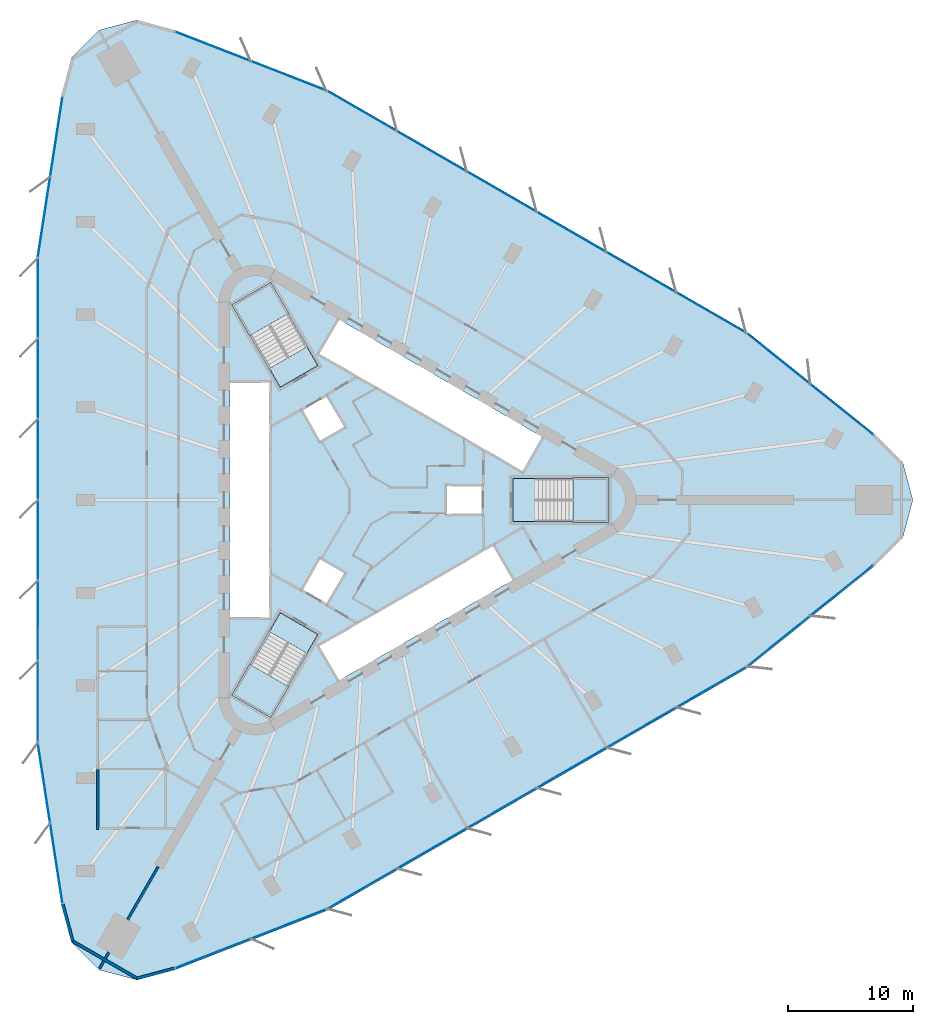
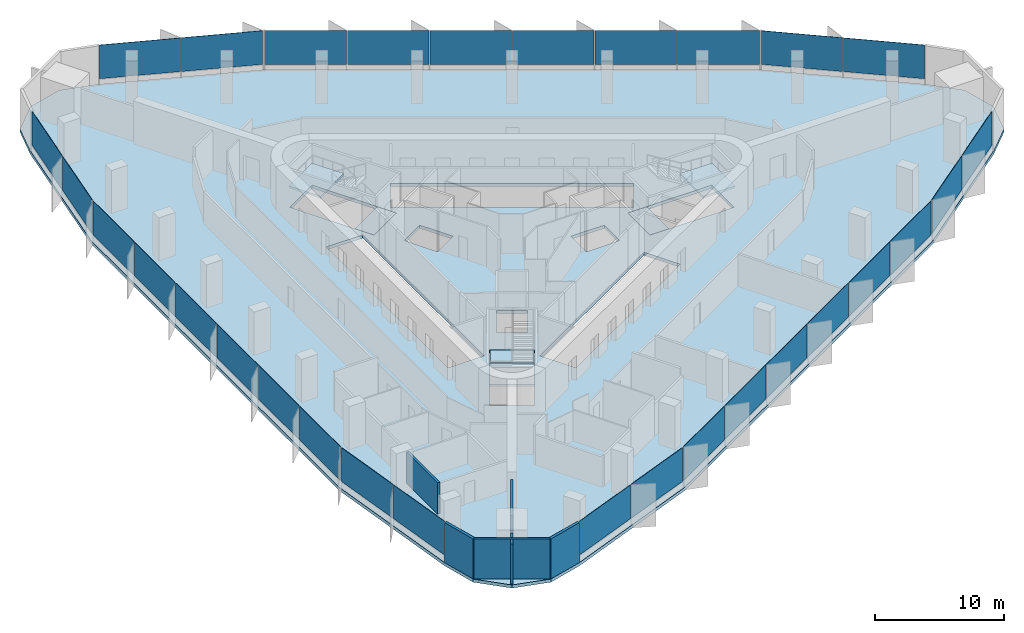
# One storey, part 8 of 15: 30 plates, 7 slabs, 7 walls, 12 elements without a shape of their own.
"""IFC4 building model written with IfcOpenShell, lengths in metres."""

from ifc_helpers import new_model, si_unit, direction, frame, frame_2d, origin, origin_2d, place, context, subcontext, project, spatial, polyline, rectangle, outline, extrude, material, layer, layer_set, type_object, element, aggregate, save


model = new_model("IFC4")

# Units and contexts
model_context = context("Model", 3, precision=1e-05, world=origin(), true_north=direction((0.0, 1.0)))
body_context = subcontext(model_context, "Body", "Model", "MODEL_VIEW")
ifc_project = project(units=[si_unit("LENGTHUNIT", "METRE"), si_unit("AREAUNIT", "SQUARE_METRE"), si_unit("VOLUMEUNIT", "CUBIC_METRE"), si_unit("PLANEANGLEUNIT", "RADIAN"), si_unit("MASSUNIT", "GRAM", prefix="KILO")], contexts=[model_context])

# Site, building, storey
site_placement = place(None, origin())
site = spatial("IfcSite", under=ifc_project, at=site_placement, CompositionType="ELEMENT")
building_placement = place(site_placement, origin())
building = spatial("IfcBuilding", under=site, at=building_placement, Name="Tanit Gate Tower", CompositionType="ELEMENT")
storey_placement = place(building_placement, frame((0.0, 0.0, 139.800048828125)))
storey = spatial("IfcBuildingStorey", under=building, at=storey_placement, Name="L30", CompositionType="ELEMENT", Elevation=139.800048828125)

# Slab
ifc_material_1 = material(Name="Concrete C35/45", Category="concrete")
ifc_layer_1 = layer(ifc_material_1, 0.300048828125)
ifc_layer_set_1 = layer_set([ifc_layer_1], Name="FLOOR SLAB 300 C35/45")
slab_type_1 = type_object("IfcSlabType", Name="FLOOR SLAB 300 C35/45", PredefinedType="FLOOR", material=ifc_layer_set_1)
slab_1_placement = place(storey_placement, frame((0.0, 0.0, -0.300048828125)))
element("IfcSlab", 1, at=slab_1_placement, inside=storey, type_object=slab_type_1, Name="FLOOR SLAB L30", PredefinedType="FLOOR", context=body_context, shape_type="SweptSolid", body=[
    extrude(outline(polyline([(40.200439453125, 5.24365234375), (42.41650390625, 3.02734375), (43.227783203125, 0.0), (42.41650390625, -3.02734375), (40.200439453125, -5.24365234375), (30.038818359375, -13.397216796875), (-3.418212890625, -32.710693359375), (-15.55908203125, -37.436279296875), (-18.58642578125, -38.24755859375), (-21.614013671875, -37.436279296875), (-23.830078125, -35.22021484375), (-24.641357421875, -32.192626953125), (-26.62158203125, -19.315673828125), (-26.619140625, 19.315673828125), (-24.641357421875, 32.192626953125), (-23.830078125, 35.22021484375), (-21.614013671875, 37.436279296875), (-18.58642578125, 38.24755859375), (-15.55908203125, 37.436279296875), (-3.4169921875, 32.712890625), (30.037353515625, 13.39501953125), (40.200439453125, 5.24365234375)]), holes=[polyline([(11.3701171875, 1.72998046875), (18.929931640625, 1.72998046875), (18.929931640625, -1.72998046875), (11.3701171875, -1.72998046875), (11.3701171875, 1.72998046875)]), polyline([(-4.208984375, 11.60986328125), (-2.583984375, 14.424560546875), (13.783935546875, 4.974609375), (12.158935546875, 2.159912109375), (-4.208984375, 11.60986328125)]), polyline([(-4.208984375, -11.60986328125), (9.82080078125, -3.510009765625), (11.44580078125, -6.324462890625), (-2.583984375, -14.424560546875), (-4.208984375, -11.60986328125)]), polyline([(9.0, 1.199951171875), (9.0, -1.199951171875), (6.0, -1.199951171875), (6.0, 1.199951171875), (9.0, 1.199951171875)]), polyline([(-5.539306640625, 7.194091796875), (-3.460693359375, 8.394287109375), (-1.960693359375, 5.796142578125), (-4.039306640625, 4.59619140625), (-5.539306640625, 7.194091796875)]), polyline([(-1.960693359375, -5.796142578125), (-3.460693359375, -8.394287109375), (-5.539306640625, -7.194091796875), (-4.039306640625, -4.59619140625), (-1.960693359375, -5.796142578125)]), polyline([(-10.963134765625, 15.52880859375), (-7.966796875, 17.2587890625), (-4.186767578125, 10.711669921875), (-7.18310546875, 8.981689453125), (-10.963134765625, 15.52880859375)]), polyline([(-4.186767578125, -10.711669921875), (-7.966796875, -17.2587890625), (-10.963134765625, -15.52880859375), (-7.18310546875, -8.981689453125), (-4.186767578125, -10.711669921875)]), polyline([(-11.199951171875, -9.449951171875), (-11.199951171875, 9.449951171875), (-7.949951171875, 9.449951171875), (-7.949951171875, -9.449951171875), (-11.199951171875, -9.449951171875)])]), origin(), (0.0, 0.0, 1.0), 0.300048828125),
])

# Curtain wall, plates
ifc_material_2 = material(Name="Aluminium bronze anodised and glass", Category="aluminium")
curtain_wall_type = type_object("IfcCurtainWallType", Name="Curtain wall typical low", PredefinedType="NOTDEFINED", material=ifc_material_2)
curtain_wall_1_placement = place(storey_placement, origin())
curtain_wall_1 = element("IfcCurtainWall", 2, at=curtain_wall_1_placement, inside=storey, type_object=curtain_wall_type, Name="Curtain wall L30 NE1", PredefinedType="NOTDEFINED")
ifc_material_3 = material(Name="Glass tinted", Category="glass")
ifc_layer_2 = layer(ifc_material_3, 0.031982421875)
ifc_layer_set_2 = layer_set([ifc_layer_2], Name="Glass panel 32 typical low")
plate_type = type_object("IfcPlateType", Name="Glass panel 32 typical low", PredefinedType="CURTAIN_PANEL", material=ifc_layer_set_2)
plate_1_placement = place(storey_placement, frame((37.56689453125, 7.201904296875, 0.60009765625), z_axis=(0.0, 0.0, 1.0), x_axis=(-0.780084936734, 0.625673630163, 0.0)))
plate_1 = element("IfcPlate", 3, at=plate_1_placement, type_object=plate_type, Name="Glass panel L30 NE1.1", PredefinedType="CURTAIN_PANEL", context=body_context, shape_type="SweptSolid", body=[
    extrude(rectangle(XDim=6.38623046875, YDim=0.031982421875, at=origin_2d()), origin(), (0.0, 0.0, 1.0), 3.199951171875),
])
plate_2_placement = place(storey_placement, frame((32.522705078125, 11.247802734375, 0.60009765625), z_axis=(0.0, 0.0, 1.0), x_axis=(-0.780084936734, 0.625673630163, 0.0)))
plate_2 = element("IfcPlate", 4, at=plate_2_placement, type_object=plate_type, Name="Glass panel L30 NE1.2", PredefinedType="CURTAIN_PANEL", context=body_context, shape_type="SweptSolid", body=[
    extrude(rectangle(XDim=6.38623046875, YDim=0.031982421875, at=origin_2d()), origin(), (0.0, 0.0, 1.0), 3.199951171875),
])
aggregate(curtain_wall_1, [plate_1, plate_2])

curtain_wall_2_placement = place(storey_placement, origin())
curtain_wall_2 = element("IfcCurtainWall", 5, at=curtain_wall_2_placement, inside=storey, type_object=curtain_wall_type, Name="Curtain wall L30 NE2", PredefinedType="NOTDEFINED")
plate_3_placement = place(storey_placement, frame((27.154052734375, 14.92138671875, 0.60009765625), z_axis=(0.0, 0.0, 1.0), x_axis=(-0.865990732317, 0.500060047936, 0.0)))
plate_3 = element("IfcPlate", 6, at=plate_3_placement, type_object=plate_type, Name="Glass panel L30 NE2.1", PredefinedType="CURTAIN_PANEL", context=body_context, shape_type="SweptSolid", body=[
    extrude(rectangle(XDim=6.34228515625, YDim=0.031982421875, at=origin_2d()), origin(), (0.0, 0.0, 1.0), 3.199951171875),
])
plate_4_placement = place(storey_placement, frame((21.592529296875, 18.1328125, 0.60009765625), z_axis=(0.0, 0.0, 1.0), x_axis=(-0.865990732317, 0.500060047936, 0.0)))
plate_4 = element("IfcPlate", 7, at=plate_4_placement, type_object=plate_type, Name="Glass panel L30 NE2.2", PredefinedType="CURTAIN_PANEL", context=body_context, shape_type="SweptSolid", body=[
    extrude(rectangle(XDim=6.342041015625, YDim=0.031982421875, at=origin_2d()), origin(), (0.0, 0.0, 1.0), 3.199951171875),
])
plate_5_placement = place(storey_placement, frame((16.031005859375, 21.34423828125, 0.60009765625), z_axis=(0.0, 0.0, 1.0), x_axis=(-0.865990732317, 0.500060047936, 0.0)))
plate_5 = element("IfcPlate", 8, at=plate_5_placement, type_object=plate_type, Name="Glass panel L30 NE2.3", PredefinedType="CURTAIN_PANEL", context=body_context, shape_type="SweptSolid", body=[
    extrude(rectangle(XDim=6.34228515625, YDim=0.031982421875, at=origin_2d()), origin(), (0.0, 0.0, 1.0), 3.199951171875),
])
plate_6_placement = place(storey_placement, frame((10.469482421875, 24.5556640625, 0.60009765625), z_axis=(0.0, 0.0, 1.0), x_axis=(-0.865990732317, 0.500060047936, 0.0)))
plate_6 = element("IfcPlate", 9, at=plate_6_placement, type_object=plate_type, Name="Glass panel L30 NE2.4", PredefinedType="CURTAIN_PANEL", context=body_context, shape_type="SweptSolid", body=[
    extrude(rectangle(XDim=6.342041015625, YDim=0.031982421875, at=origin_2d()), origin(), (0.0, 0.0, 1.0), 3.199951171875),
])
plate_7_placement = place(storey_placement, frame((4.907958984375, 27.76708984375, 0.60009765625), z_axis=(0.0, 0.0, 1.0), x_axis=(-0.865990732317, 0.500060047936, 0.0)))
plate_7 = element("IfcPlate", 10, at=plate_7_placement, type_object=plate_type, Name="Glass panel L30 NE2.5", PredefinedType="CURTAIN_PANEL", context=body_context, shape_type="SweptSolid", body=[
    extrude(rectangle(XDim=6.34228515625, YDim=0.031982421875, at=origin_2d()), origin(), (0.0, 0.0, 1.0), 3.199951171875),
])
plate_8_placement = place(storey_placement, frame((-0.653564453125, 30.978759765625, 0.60009765625), z_axis=(0.0, 0.0, 1.0), x_axis=(-0.865990732317, 0.500060047936, 0.0)))
plate_8 = element("IfcPlate", 11, at=plate_8_placement, type_object=plate_type, Name="Glass panel L30 NE2.6", PredefinedType="CURTAIN_PANEL", context=body_context, shape_type="SweptSolid", body=[
    extrude(rectangle(XDim=6.34228515625, YDim=0.031982421875, at=origin_2d()), origin(), (0.0, 0.0, 1.0), 3.199951171875),
])
aggregate(curtain_wall_2, [plate_3, plate_4, plate_5, plate_6, plate_7, plate_8])

curtain_wall_3_placement = place(storey_placement, origin())
curtain_wall_3 = element("IfcCurtainWall", 12, at=curtain_wall_3_placement, inside=storey, type_object=curtain_wall_type, Name="Curtain wall L30 NE3", PredefinedType="NOTDEFINED")
plate_9_placement = place(storey_placement, frame((-6.51953125, 33.791015625, 0.60009765625), z_axis=(0.0, 0.0, 1.0), x_axis=(-0.931965421252, 0.362547174298, 0.0)))
plate_9 = element("IfcPlate", 13, at=plate_9_placement, type_object=plate_type, Name="Glass panel L30 NE3.1", PredefinedType="CURTAIN_PANEL", context=body_context, shape_type="SweptSolid", body=[
    extrude(rectangle(XDim=6.386474609375, YDim=0.031982421875, at=origin_2d()), origin(), (0.0, 0.0, 1.0), 3.199951171875),
])
plate_10_placement = place(storey_placement, frame((-12.5458984375, 36.135498046875, 0.60009765625), z_axis=(0.0, 0.0, 1.0), x_axis=(-0.931965421252, 0.362547174298, 0.0)))
plate_10 = element("IfcPlate", 14, at=plate_10_placement, type_object=plate_type, Name="Glass panel L30 NE3.2", PredefinedType="CURTAIN_PANEL", context=body_context, shape_type="SweptSolid", body=[
    extrude(rectangle(XDim=6.386474609375, YDim=0.031982421875, at=origin_2d()), origin(), (0.0, 0.0, 1.0), 3.199951171875),
])
aggregate(curtain_wall_3, [plate_9, plate_10])

curtain_wall_4_placement = place(storey_placement, origin())
curtain_wall_4 = element("IfcCurtainWall", 15, at=curtain_wall_4_placement, inside=storey, type_object=curtain_wall_type, Name="Curtain wall L30 W1", PredefinedType="NOTDEFINED")
plate_11_placement = place(storey_placement, frame((-25.0205078125, 28.932861328125, 0.60009765625), z_axis=(0.0, 0.0, 1.0), x_axis=(-0.151806789832, -0.988410187402, 0.0)))
plate_11 = element("IfcPlate", 16, at=plate_11_placement, type_object=plate_type, Name="Glass panel L30 W1.1", PredefinedType="CURTAIN_PANEL", context=body_context, shape_type="SweptSolid", body=[
    extrude(rectangle(XDim=6.38623046875, YDim=0.031982421875, at=origin_2d()), origin(), (0.0, 0.0, 1.0), 3.199951171875),
])
plate_12_placement = place(storey_placement, frame((-26.002197265625, 22.54150390625, 0.60009765625), z_axis=(0.0, 0.0, 1.0), x_axis=(-0.151806789832, -0.988410187402, 0.0)))
plate_12 = element("IfcPlate", 17, at=plate_12_placement, type_object=plate_type, Name="Glass panel L30 W1.2", PredefinedType="CURTAIN_PANEL", context=body_context, shape_type="SweptSolid", body=[
    extrude(rectangle(XDim=6.38623046875, YDim=0.031982421875, at=origin_2d()), origin(), (0.0, 0.0, 1.0), 3.199951171875),
])
aggregate(curtain_wall_4, [plate_11, plate_12])

curtain_wall_5_placement = place(storey_placement, origin())
curtain_wall_5 = element("IfcCurtainWall", 18, at=curtain_wall_5_placement, inside=storey, type_object=curtain_wall_type, Name="Curtain wall L30 W2", PredefinedType="NOTDEFINED")
plate_13_placement = place(storey_placement, frame((-26.499267578125, 16.055419921875, 0.60009765625), z_axis=(0.0, 0.0, 1.0), x_axis=(-6.9338772e-05, -0.999999997596, 0.0)))
plate_13 = element("IfcPlate", 19, at=plate_13_placement, type_object=plate_type, Name="Glass panel L30 W2.1", PredefinedType="CURTAIN_PANEL", context=body_context, shape_type="SweptSolid", body=[
    extrude(rectangle(XDim=6.34228515625, YDim=0.031982421875, at=origin_2d()), origin(), (0.0, 0.0, 1.0), 3.199951171875),
])
plate_14_placement = place(storey_placement, frame((-26.499755859375, 9.63330078125, 0.60009765625), z_axis=(0.0, 0.0, 1.0), x_axis=(-6.9338772e-05, -0.999999997596, 0.0)))
plate_14 = element("IfcPlate", 20, at=plate_14_placement, type_object=plate_type, Name="Glass panel L30 W2.2", PredefinedType="CURTAIN_PANEL", context=body_context, shape_type="SweptSolid", body=[
    extrude(rectangle(XDim=6.342041015625, YDim=0.031982421875, at=origin_2d()), origin(), (0.0, 0.0, 1.0), 3.199951171875),
])
plate_15_placement = place(storey_placement, frame((-26.500244140625, 3.211181640625, 0.60009765625), z_axis=(0.0, 0.0, 1.0), x_axis=(-6.9338772e-05, -0.999999997596, 0.0)))
plate_15 = element("IfcPlate", 21, at=plate_15_placement, type_object=plate_type, Name="Glass panel L30 W2.3", PredefinedType="CURTAIN_PANEL", context=body_context, shape_type="SweptSolid", body=[
    extrude(rectangle(XDim=6.34228515625, YDim=0.031982421875, at=origin_2d()), origin(), (0.0, 0.0, 1.0), 3.199951171875),
])
plate_16_placement = place(storey_placement, frame((-26.500732421875, -3.211181640625, 0.60009765625), z_axis=(0.0, 0.0, 1.0), x_axis=(-6.9338772e-05, -0.999999997596, 0.0)))
plate_16 = element("IfcPlate", 22, at=plate_16_placement, type_object=plate_type, Name="Glass panel L30 W2.4", PredefinedType="CURTAIN_PANEL", context=body_context, shape_type="SweptSolid", body=[
    extrude(rectangle(XDim=6.342041015625, YDim=0.031982421875, at=origin_2d()), origin(), (0.0, 0.0, 1.0), 3.199951171875),
])
plate_17_placement = place(storey_placement, frame((-26.5009765625, -9.63330078125, 0.60009765625), z_axis=(0.0, 0.0, 1.0), x_axis=(-6.9338772e-05, -0.999999997596, 0.0)))
plate_17 = element("IfcPlate", 23, at=plate_17_placement, type_object=plate_type, Name="Glass panel L30 W2.5", PredefinedType="CURTAIN_PANEL", context=body_context, shape_type="SweptSolid", body=[
    extrude(rectangle(XDim=6.34228515625, YDim=0.031982421875, at=origin_2d()), origin(), (0.0, 0.0, 1.0), 3.199951171875),
])
plate_18_placement = place(storey_placement, frame((-26.50146484375, -16.055419921875, 0.60009765625), z_axis=(0.0, 0.0, 1.0), x_axis=(-6.9338772e-05, -0.999999997596, 0.0)))
plate_18 = element("IfcPlate", 24, at=plate_18_placement, type_object=plate_type, Name="Glass panel L30 W2.6", PredefinedType="CURTAIN_PANEL", context=body_context, shape_type="SweptSolid", body=[
    extrude(rectangle(XDim=6.34228515625, YDim=0.031982421875, at=origin_2d()), origin(), (0.0, 0.0, 1.0), 3.199951171875),
])
aggregate(curtain_wall_5, [plate_13, plate_14, plate_15, plate_16, plate_17, plate_18])

curtain_wall_6_placement = place(storey_placement, origin())
curtain_wall_6 = element("IfcCurtainWall", 25, at=curtain_wall_6_placement, inside=storey, type_object=curtain_wall_type, Name="Curtain wall L30 W3", PredefinedType="NOTDEFINED")
plate_19_placement = place(storey_placement, frame((-26.004150390625, -22.541748046875, 0.60009765625), z_axis=(0.0, 0.0, 1.0), x_axis=(0.152007647614, -0.988379317401, 0.0)))
plate_19 = element("IfcPlate", 26, at=plate_19_placement, type_object=plate_type, Name="Glass panel L30 W3.1", PredefinedType="CURTAIN_PANEL", context=body_context, shape_type="SweptSolid", body=[
    extrude(rectangle(XDim=6.386474609375, YDim=0.031982421875, at=origin_2d()), origin(), (0.0, 0.0, 1.0), 3.199951171875),
])
plate_20_placement = place(storey_placement, frame((-25.021240234375, -28.932861328125, 0.60009765625), z_axis=(0.0, 0.0, 1.0), x_axis=(0.152007647614, -0.988379317401, 0.0)))
plate_20 = element("IfcPlate", 27, at=plate_20_placement, type_object=plate_type, Name="Glass panel L30 W3.2", PredefinedType="CURTAIN_PANEL", context=body_context, shape_type="SweptSolid", body=[
    extrude(rectangle(XDim=6.386474609375, YDim=0.031982421875, at=origin_2d()), origin(), (0.0, 0.0, 1.0), 3.199951171875),
])
aggregate(curtain_wall_6, [plate_19, plate_20])

curtain_wall_7_placement = place(storey_placement, origin())
curtain_wall_7 = element("IfcCurtainWall", 28, at=curtain_wall_7_placement, inside=storey, type_object=curtain_wall_type, Name="Curtain wall L30 SE1", PredefinedType="NOTDEFINED")
plate_21_placement = place(storey_placement, frame((-12.54638671875, -36.135009765625, 0.60009765625), z_axis=(0.0, 0.0, 1.0), x_axis=(0.931891726566, 0.36273655724, 0.0)))
plate_21 = element("IfcPlate", 29, at=plate_21_placement, type_object=plate_type, Name="Glass panel L30 SE1.1", PredefinedType="CURTAIN_PANEL", context=body_context, shape_type="SweptSolid", body=[
    extrude(rectangle(XDim=6.38623046875, YDim=0.031982421875, at=origin_2d()), origin(), (0.0, 0.0, 1.0), 3.199951171875),
])
plate_22_placement = place(storey_placement, frame((-6.5205078125, -33.789306640625, 0.60009765625), z_axis=(0.0, 0.0, 1.0), x_axis=(0.931891726566, 0.36273655724, 0.0)))
plate_22 = element("IfcPlate", 30, at=plate_22_placement, type_object=plate_type, Name="Glass panel L30 SE1.2", PredefinedType="CURTAIN_PANEL", context=body_context, shape_type="SweptSolid", body=[
    extrude(rectangle(XDim=6.38623046875, YDim=0.031982421875, at=origin_2d()), origin(), (0.0, 0.0, 1.0), 3.199951171875),
])
aggregate(curtain_wall_7, [plate_21, plate_22])

curtain_wall_8_placement = place(storey_placement, origin())
curtain_wall_8 = element("IfcCurtainWall", 31, at=curtain_wall_8_placement, inside=storey, type_object=curtain_wall_type, Name="Curtain wall L30 SE2", PredefinedType="NOTDEFINED")
plate_23_placement = place(storey_placement, frame((-0.65478515625, -30.976806640625, 0.60009765625), z_axis=(0.0, 0.0, 1.0), x_axis=(0.866060071089, 0.49993994966, 0.0)))
plate_23 = element("IfcPlate", 32, at=plate_23_placement, type_object=plate_type, Name="Glass panel L30 SE2.1", PredefinedType="CURTAIN_PANEL", context=body_context, shape_type="SweptSolid", body=[
    extrude(rectangle(XDim=6.34228515625, YDim=0.031982421875, at=origin_2d()), origin(), (0.0, 0.0, 1.0), 3.199951171875),
])
plate_24_placement = place(storey_placement, frame((4.9072265625, -27.76611328125, 0.60009765625), z_axis=(0.0, 0.0, 1.0), x_axis=(0.866060071089, 0.49993994966, 0.0)))
plate_24 = element("IfcPlate", 33, at=plate_24_placement, type_object=plate_type, Name="Glass panel L30 SE2.2", PredefinedType="CURTAIN_PANEL", context=body_context, shape_type="SweptSolid", body=[
    extrude(rectangle(XDim=6.342041015625, YDim=0.031982421875, at=origin_2d()), origin(), (0.0, 0.0, 1.0), 3.199951171875),
])
plate_25_placement = place(storey_placement, frame((10.46923828125, -24.555419921875, 0.60009765625), z_axis=(0.0, 0.0, 1.0), x_axis=(0.866060071089, 0.49993994966, 0.0)))
plate_25 = element("IfcPlate", 34, at=plate_25_placement, type_object=plate_type, Name="Glass panel L30 SE2.3", PredefinedType="CURTAIN_PANEL", context=body_context, shape_type="SweptSolid", body=[
    extrude(rectangle(XDim=6.34228515625, YDim=0.031982421875, at=origin_2d()), origin(), (0.0, 0.0, 1.0), 3.199951171875),
])
plate_26_placement = place(storey_placement, frame((16.03125, -21.3447265625, 0.60009765625), z_axis=(0.0, 0.0, 1.0), x_axis=(0.866060071089, 0.49993994966, 0.0)))
plate_26 = element("IfcPlate", 35, at=plate_26_placement, type_object=plate_type, Name="Glass panel L30 SE2.4", PredefinedType="CURTAIN_PANEL", context=body_context, shape_type="SweptSolid", body=[
    extrude(rectangle(XDim=6.342041015625, YDim=0.031982421875, at=origin_2d()), origin(), (0.0, 0.0, 1.0), 3.199951171875),
])
plate_27_placement = place(storey_placement, frame((21.59326171875, -18.134033203125, 0.60009765625), z_axis=(0.0, 0.0, 1.0), x_axis=(0.866060071089, 0.49993994966, 0.0)))
plate_27 = element("IfcPlate", 36, at=plate_27_placement, type_object=plate_type, Name="Glass panel L30 SE2.5", PredefinedType="CURTAIN_PANEL", context=body_context, shape_type="SweptSolid", body=[
    extrude(rectangle(XDim=6.34228515625, YDim=0.031982421875, at=origin_2d()), origin(), (0.0, 0.0, 1.0), 3.199951171875),
])
plate_28_placement = place(storey_placement, frame((27.1552734375, -14.92333984375, 0.60009765625), z_axis=(0.0, 0.0, 1.0), x_axis=(0.866060071089, 0.49993994966, 0.0)))
plate_28 = element("IfcPlate", 37, at=plate_28_placement, type_object=plate_type, Name="Glass panel L30 SE2.6", PredefinedType="CURTAIN_PANEL", context=body_context, shape_type="SweptSolid", body=[
    extrude(rectangle(XDim=6.34228515625, YDim=0.031982421875, at=origin_2d()), origin(), (0.0, 0.0, 1.0), 3.199951171875),
])
aggregate(curtain_wall_8, [plate_23, plate_24, plate_25, plate_26, plate_27, plate_28])

curtain_wall_9_placement = place(storey_placement, origin())
curtain_wall_9 = element("IfcCurtainWall", 38, at=curtain_wall_9_placement, inside=storey, type_object=curtain_wall_type, Name="Curtain wall L30 SE3", PredefinedType="NOTDEFINED")
plate_29_placement = place(storey_placement, frame((32.523681640625, -11.24951171875, 0.60009765625), z_axis=(0.0, 0.0, 1.0), x_axis=(0.779957773638, 0.625832143104, 0.0)))
plate_29 = element("IfcPlate", 39, at=plate_29_placement, type_object=plate_type, Name="Glass panel L30 SE3.1", PredefinedType="CURTAIN_PANEL", context=body_context, shape_type="SweptSolid", body=[
    extrude(rectangle(XDim=6.386474609375, YDim=0.031982421875, at=origin_2d()), origin(), (0.0, 0.0, 1.0), 3.199951171875),
])
plate_30_placement = place(storey_placement, frame((37.567138671875, -7.20263671875, 0.60009765625), z_axis=(0.0, 0.0, 1.0), x_axis=(0.779957773638, 0.625832143104, 0.0)))
plate_30 = element("IfcPlate", 40, at=plate_30_placement, type_object=plate_type, Name="Glass panel L30 SE3.2", PredefinedType="CURTAIN_PANEL", context=body_context, shape_type="SweptSolid", body=[
    extrude(rectangle(XDim=6.386474609375, YDim=0.031982421875, at=origin_2d()), origin(), (0.0, 0.0, 1.0), 3.199951171875),
])
aggregate(curtain_wall_9, [plate_29, plate_30])

# Stair, slab
ifc_material_4 = material(Name="Concrete C40/50", Category="concrete")
stair_type = type_object("IfcStairType", Name="INT-STAIR-EXIT", PredefinedType="HALF_TURN_STAIR", material=ifc_material_4)
stair_1_placement = place(storey_placement, origin())
stair_1 = element("IfcStair", 41, at=stair_1_placement, inside=storey, type_object=stair_type, Name="L30 STAIR S1", PredefinedType="HALF_TURN_STAIR")
ifc_material_5 = material(Name="Concrete C40/50", Category="concrete")
ifc_layer_3 = layer(ifc_material_5, 0.199951171875)
ifc_layer_set_3 = layer_set([ifc_layer_3], Name="INT-STAIR-LANDING")
slab_type_2 = type_object("IfcSlabType", Name="INT-STAIR-LANDING", PredefinedType="LANDING", material=ifc_layer_set_3)
slab_2_placement = place(storey_placement, frame((0.0, 0.0, 1.849853515625)))
slab_2 = element("IfcSlab", 42, at=slab_2_placement, type_object=slab_type_2, Name="S1 landing 1", PredefinedType="LANDING", context=body_context, shape_type="SweptSolid", body=[
    extrude(outline(polyline([(16.135986328125, -1.800048828125), (19.0, -1.800048828125), (19.0, 1.800048828125), (16.135986328125, 1.800048828125), (16.135986328125, -1.800048828125)])), origin(), (0.0, 0.0, 1.0), 0.2001953125),
])
aggregate(stair_1, [slab_2])

# Slab
slab_3_placement = place(storey_placement, frame((0.0, 0.0, -0.199951171875)))
element("IfcSlab", 43, at=slab_3_placement, inside=storey, type_object=slab_type_2, Name="S1 floor landing", PredefinedType="LANDING", context=body_context, shape_type="SweptSolid", body=[
    extrude(outline(polyline([(11.3798828125, -1.719970703125), (13.10498046875, -1.719970703125), (13.10498046875, 1.719970703125), (11.3798828125, 1.719970703125), (11.3798828125, -1.719970703125)])), origin(), (0.0, 0.0, 1.0), 0.199951171875),
])

# Stair, slab
stair_2_placement = place(storey_placement, origin())
stair_2 = element("IfcStair", 44, at=stair_2_placement, inside=storey, type_object=stair_type, Name="L30 STAIR S2", PredefinedType="HALF_TURN_STAIR")
slab_4_placement = place(storey_placement, frame((0.0, 0.0, 1.849853515625)))
slab_4 = element("IfcSlab", 45, at=slab_4_placement, type_object=slab_type_2, Name="S2 landing 1", PredefinedType="LANDING", context=body_context, shape_type="SweptSolid", body=[
    extrude(outline(polyline([(-6.5078125, 14.871826171875), (-7.941162109375, 17.3544921875), (-11.058837890625, 15.554443359375), (-9.62548828125, 13.07177734375), (-6.5078125, 14.871826171875)])), origin(), (0.0, 0.0, 1.0), 0.2001953125),
])
aggregate(stair_2, [slab_4])

# Slab
slab_5_placement = place(storey_placement, frame((0.0, 0.0, -0.199951171875)))
element("IfcSlab", 46, at=slab_5_placement, inside=storey, type_object=slab_type_2, Name="S2 floor landing", PredefinedType="LANDING", context=body_context, shape_type="SweptSolid", body=[
    extrude(outline(polyline([(-4.200439453125, 10.71533203125), (-5.0625, 12.20849609375), (-8.04150390625, 10.48828125), (-7.179443359375, 8.995361328125), (-4.200439453125, 10.71533203125)])), origin(), (0.0, 0.0, 1.0), 0.199951171875),
])

# Stair, slab
stair_3_placement = place(storey_placement, origin())
stair_3 = element("IfcStair", 47, at=stair_3_placement, inside=storey, type_object=stair_type, Name="L30 STAIR S3", PredefinedType="HALF_TURN_STAIR")
slab_6_placement = place(storey_placement, frame((0.0, 0.0, 1.849853515625)))
slab_6 = element("IfcSlab", 48, at=slab_6_placement, type_object=slab_type_2, Name="S3 landing 1", PredefinedType="LANDING", context=body_context, shape_type="SweptSolid", body=[
    extrude(outline(polyline([(-9.626953125, -13.07421875), (-11.058837890625, -15.554443359375), (-7.941162109375, -17.3544921875), (-6.509033203125, -14.874267578125), (-9.626953125, -13.07421875)])), origin(), (0.0, 0.0, 1.0), 0.2001953125),
])
aggregate(stair_3, [slab_6])

# Slab
slab_7_placement = place(storey_placement, frame((0.0, 0.0, -0.199951171875)))
element("IfcSlab", 49, at=slab_7_placement, inside=storey, type_object=slab_type_2, Name="S3 floor landing", PredefinedType="LANDING", context=body_context, shape_type="SweptSolid", body=[
    extrude(outline(polyline([(-7.179443359375, -8.995361328125), (-8.0419921875, -10.4892578125), (-5.06298828125, -12.209228515625), (-4.200439453125, -10.71533203125), (-7.179443359375, -8.995361328125)])), origin(), (0.0, 0.0, 1.0), 0.199951171875),
])

# Walls
ifc_material_6 = material(Name="Concrete C30/37 with bronze anodised aluminium cladding", Category="concrete")
ifc_layer_4 = layer(ifc_material_6, 0.239990234375)
ifc_layer_set_4 = layer_set([ifc_layer_4], Name="Facade wall bronze clad 240")
wall_type_1 = type_object("IfcWallType", Name="Facade wall bronze clad 240", PredefinedType="SOLIDWALL", material=ifc_layer_set_4)
wall_1_placement = place(storey_placement, frame((-24.523681640625, -32.16796875, 0.0), z_axis=(0.0, 0.0, 1.0), x_axis=(0.258850410475, -0.965917421417, 0.0)))
element("IfcWall", 50, at=wall_1_placement, inside=storey, type_object=wall_type_1, Name="Bronze-clad facade wall L30 SW.arc1", PredefinedType="SOLIDWALL", context=body_context, shape_type="SweptSolid", body=[
    extrude(rectangle(XDim=3.095458984375, YDim=0.239990234375, at=frame_2d((1.5478515625, 0.0))), origin(), (0.0, 0.0, 1.0), 3.800048828125),
])
wall_2_placement = place(storey_placement, frame((-23.722412109375, -35.157958984375, 0.0), z_axis=(0.0, 0.0, 1.0), x_axis=(0.866020370013, -0.500008718647, 0.0)))
element("IfcWall", 51, at=wall_2_placement, inside=storey, type_object=wall_type_1, Name="Bronze-clad facade wall L30 SW.arc2", PredefinedType="SOLIDWALL", context=body_context, shape_type="SweptSolid", body=[
    extrude(rectangle(XDim=5.9306640625, YDim=0.239990234375, at=frame_2d((2.96533203125, 0.0))), origin(), (0.0, 0.0, 1.0), 3.800048828125),
])
wall_3_placement = place(storey_placement, frame((-18.58642578125, -38.123291015625, 0.0), z_axis=(0.0, 0.0, 1.0), x_axis=(0.965937138664, 0.258776823055, 0.0)))
element("IfcWall", 52, at=wall_3_placement, inside=storey, type_object=wall_type_1, Name="Bronze-clad facade wall L30 SW.arc3", PredefinedType="SOLIDWALL", context=body_context, shape_type="SweptSolid", body=[
    extrude(rectangle(XDim=3.095458984375, YDim=0.239990234375, at=frame_2d((1.5478515625, 0.0))), origin(), (0.0, 0.0, 1.0), 3.800048828125),
])
ifc_material_7 = material(Name="Fire-rated gypsum board partition")
ifc_layer_5 = layer(ifc_material_7, 0.199951171875)
ifc_layer_set_5 = layer_set([ifc_layer_5], Name="INT-WALL-COMPARTMENT")
wall_type_2 = type_object("IfcWallType", Name="INT-WALL-COMPARTMENT", PredefinedType="PARTITIONING", material=ifc_layer_set_5)
wall_4_placement = place(storey_placement, frame((-21.57373046875, -37.306884765625, 0.0), z_axis=(0.0, 0.0, 1.0), x_axis=(0.499880961361, 0.866094119867, 0.0)))
element("IfcWall", 53, at=wall_4_placement, inside=storey, type_object=wall_type_2, Name="Wall Compartment W117", PredefinedType="PARTITIONING", context=body_context, shape_type="SweptSolid", body=[
    extrude(rectangle(XDim=0.666748046875, YDim=0.199951171875, at=frame_2d((0.33349609375, 0.0))), origin(), (0.0, 0.0, 1.0), 3.800048828125),
])
wall_5_placement = place(storey_placement, frame((-21.12060546875, -36.521728515625, 0.0), z_axis=(0.0, 0.0, 1.0), x_axis=(0.500161656815, 0.86593205106, 0.0)))
element("IfcWall", 54, at=wall_5_placement, inside=storey, type_object=wall_type_2, Name="Wall Compartment W117x1", PredefinedType="PARTITIONING", context=body_context, shape_type="SweptSolid", body=[
    extrude(rectangle(XDim=0.561279296875, YDim=0.199951171875, at=frame_2d((0.28076171875, 0.0))), origin(), (0.0, 0.0, 1.0), 3.800048828125),
])
wall_6_placement = place(storey_placement, frame((-19.33984375, -33.437744140625, 0.0), z_axis=(0.0, 0.0, 1.0), x_axis=(0.500002508028, 0.866023955769, 0.0)))
element("IfcWall", 55, at=wall_6_placement, inside=storey, type_object=wall_type_2, Name="Wall Compartment W118", PredefinedType="PARTITIONING", context=body_context, shape_type="SweptSolid", body=[
    extrude(rectangle(XDim=4.8798828125, YDim=0.199951171875, at=frame_2d((2.43994140625, 0.0))), origin(), (0.0, 0.0, 1.0), 3.369873046875),
])
wall_7_placement = place(storey_placement, frame((-21.72998046875, -26.239990234375, 0.0), z_axis=(0.0, 0.0, 1.0), x_axis=(0.0, 1.0, 0.0)))
element("IfcWall", 56, at=wall_7_placement, inside=storey, type_object=wall_type_2, Name="Wall Compartment W124", PredefinedType="PARTITIONING", context=body_context, shape_type="SweptSolid", body=[
    extrude(rectangle(XDim=4.80859375, YDim=0.199951171875, at=frame_2d((2.404296875, 0.0))), origin(), (0.0, 0.0, 1.0), 2.97998046875),
])

save(model, "model.ifc")
